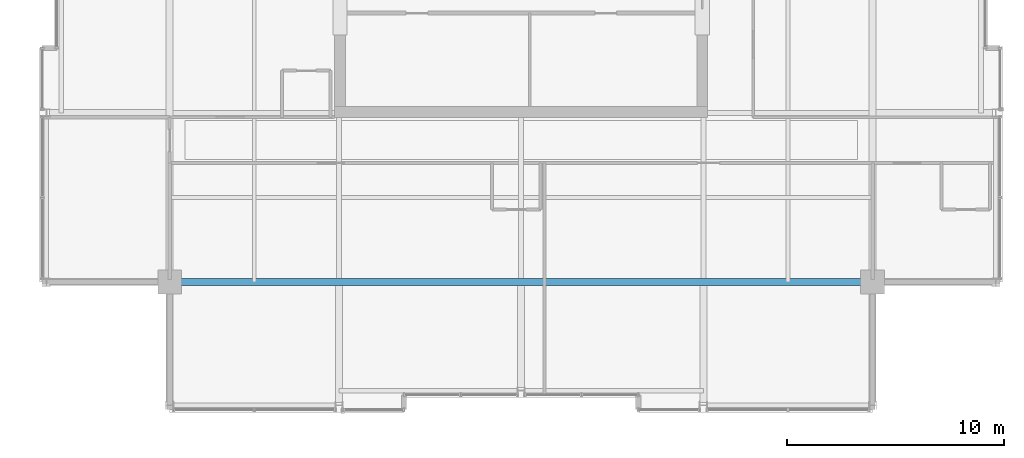
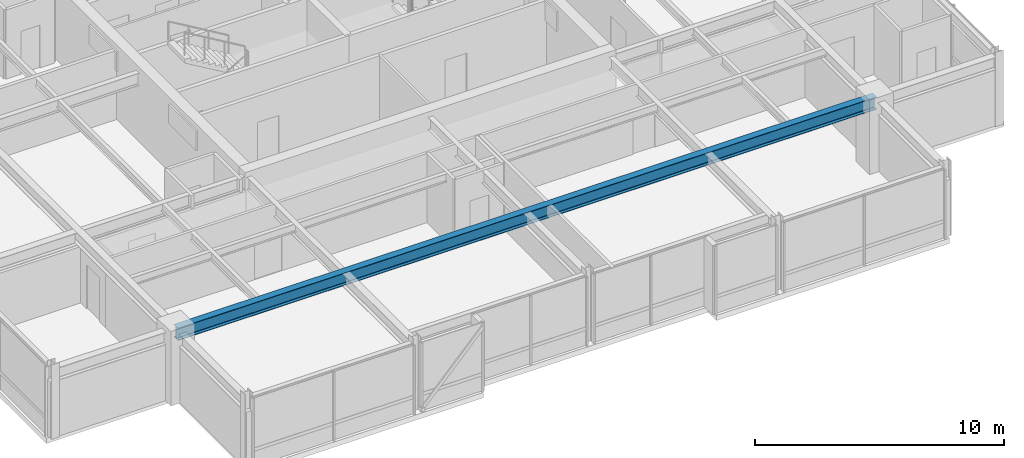
# One storey, part 8 of 33: 1 beam.
"""IFC4 building model written with IfcOpenShell, lengths in metres."""

from ifc_helpers import new_model, si_unit, direction, frame, origin, origin_2d, place, context, subcontext, project, spatial, i_section, extrude, material, material_profile, profile_set, type_object, element, save


model = new_model("IFC4")

# Units and contexts
model_context = context("Model", 3, precision=1e-05, world=origin(), true_north=direction((0.0, 1.0)))
body_context = subcontext(model_context, "Body", "Model", "MODEL_VIEW")
ifc_project = project(units=[si_unit("LENGTHUNIT", "METRE"), si_unit("AREAUNIT", "SQUARE_METRE"), si_unit("VOLUMEUNIT", "CUBIC_METRE"), si_unit("PLANEANGLEUNIT", "RADIAN"), si_unit("MASSUNIT", "GRAM", prefix="KILO")], contexts=[model_context])

# Site, building, storey
site_placement = place(None, origin())
site = spatial("IfcSite", under=ifc_project, at=site_placement, CompositionType="ELEMENT")
building_placement = place(site_placement, origin())
building = spatial("IfcBuilding", under=site, at=building_placement, Name="Drelvath Grand Hotel", CompositionType="ELEMENT")
storey_placement = place(building_placement, frame((0.0, 0.0, 283.25)))
storey = spatial("IfcBuildingStorey", under=building, at=storey_placement, Name="L74", CompositionType="ELEMENT", Elevation=283.25)

# Beam
ifc_material = material(Name="Steel ASTM A992 Gr 50", Category="steel")
ifc_material_profile = material_profile(ifc_material, i_section(OverallWidth=0.323974609375, OverallDepth=0.611083984375, WebThickness=0.0126953125, FlangeThickness=0.01904296875, FilletRadius=0.02197265625, at=origin_2d()), Name="W24X104")
ifc_profile_set = profile_set([ifc_material_profile], Name="Steel ASTM A992 Gr 50")
beam_type = type_object("IfcBeamType", Name="Primary Floor Girder W24X104", PredefinedType="BEAM", material=ifc_profile_set)
beam_placement = place(storey_placement, frame((-16.199951171875, 10.800048828125, 3.08447265625), z_axis=(1.0, 0.0, 0.0), x_axis=(0.0, 1.0, 0.0)))
element("IfcBeam", 1, at=beam_placement, inside=storey, type_object=beam_type, Name="L74 Mega Ring Girder South", PredefinedType="BEAM", context=body_context, shape_type="SweptSolid", body=[
    extrude(i_section(OverallWidth=0.323974609375, OverallDepth=0.611083984375, WebThickness=0.0126953125, FlangeThickness=0.01904296875, FilletRadius=0.02197265625, at=origin_2d()), origin(), (0.0, 0.0, 1.0), 32.39990234375),
])

save(model, "model.ifc")
